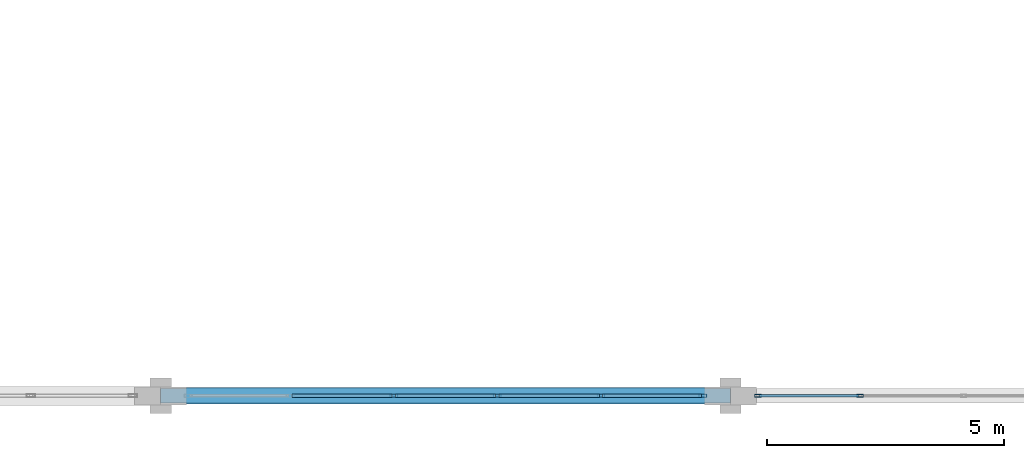
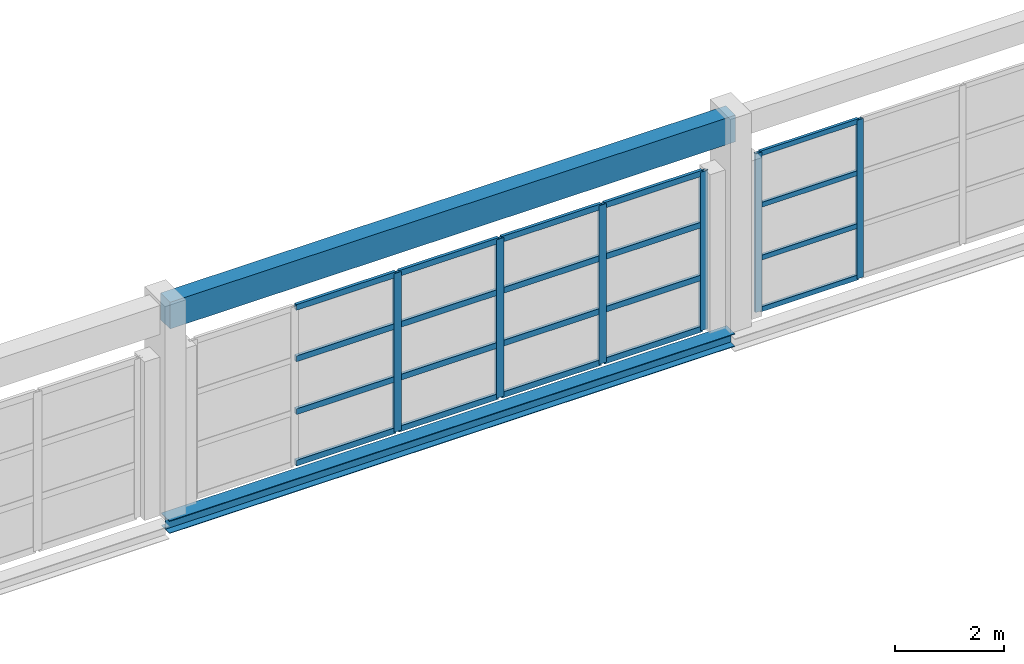
# One storey, part 72 of 147: 26 members, 2 beams, 2 elements without a shape of their own.
"""IFC4 building model written with IfcOpenShell, lengths in metres."""

from ifc_helpers import new_model, si_unit, direction, frame, origin, origin_2d, place, context, subcontext, project, spatial, rectangle, hollow_rectangle, i_section, extrude, material, layer, layer_set, material_profile, profile_set, type_object, element, aggregate, save


model = new_model("IFC4")

# Units and contexts
model_context = context("Model", 3, precision=1e-05, world=origin(), true_north=direction((0.0, 1.0)))
body_context = subcontext(model_context, "Body", "Model", "MODEL_VIEW")
ifc_project = project(units=[si_unit("LENGTHUNIT", "METRE"), si_unit("AREAUNIT", "SQUARE_METRE"), si_unit("VOLUMEUNIT", "CUBIC_METRE"), si_unit("PLANEANGLEUNIT", "RADIAN"), si_unit("MASSUNIT", "GRAM", prefix="KILO")], contexts=[model_context])

# Site, building, storey
site_placement = place(None, origin())
site = spatial("IfcSite", under=ifc_project, at=site_placement, CompositionType="ELEMENT")
building_placement = place(site_placement, origin())
building = spatial("IfcBuilding", under=site, at=building_placement, Name="Zilviju Railside Exhibition Hall", CompositionType="ELEMENT")
storey_placement = place(building_placement, frame((0.0, 0.0, 8.39990234375)))
storey = spatial("IfcBuildingStorey", under=building, at=storey_placement, Name="L03", CompositionType="ELEMENT", Elevation=8.39990234375)

# Beams
ifc_material_1 = material(Name="Steel S355J2", Category="steel")
ifc_material_profile_1 = material_profile(ifc_material_1, i_section(OverallWidth=0.300048828125, OverallDepth=0.2900390625, WebThickness=0.008544921875, FlangeThickness=0.013916015625, at=origin_2d()), Name="HEA 300")
ifc_profile_set_1 = profile_set([ifc_material_profile_1], Name="Steel S355J2")
beam_type_1 = type_object("IfcBeamType", Name="BM-HEA300", PredefinedType="SPANDREL", material=ifc_profile_set_1)
beam_1_placement = place(storey_placement, frame((144.0, 0.0, -0.364990234375), z_axis=(1.0, 0.0, 0.0), x_axis=(0.0, 1.0, 0.0)))
element("IfcBeam", 1, at=beam_1_placement, inside=storey, type_object=beam_type_1, Name="Primary Girder L03 Y=0.0 (144.0..156.0)", PredefinedType="SPANDREL", context=body_context, shape_type="SweptSolid", body=[
    extrude(i_section(OverallWidth=0.300048828125, OverallDepth=0.2900390625, WebThickness=0.008544921875, FlangeThickness=0.013916015625, at=origin_2d()), origin(), (0.0, 0.0, 1.0), 12.0),
])
ifc_material_2 = material(Name="Concrete C40/50", Category="concrete")
ifc_material_profile_2 = material_profile(ifc_material_2, rectangle(XDim=0.35009765625, YDim=0.60009765625, at=origin_2d()), Name="RC BEAM 350x600")
ifc_profile_set_2 = profile_set([ifc_material_profile_2], Name="Concrete C40/50")
beam_type_2 = type_object("IfcBeamType", Name="BM-RC-350x600", PredefinedType="LINTEL", material=ifc_profile_set_2)
beam_2_placement = place(storey_placement, frame((144.0, 0.0, 4.400146484375), z_axis=(1.0, 0.0, 0.0), x_axis=(0.0, 1.0, 0.0)))
element("IfcBeam", 2, at=beam_2_placement, inside=storey, type_object=beam_type_2, Name="Eave & Portal Spandrel Lintel 007", PredefinedType="LINTEL", context=body_context, shape_type="SweptSolid", body=[
    extrude(rectangle(XDim=0.35009765625, YDim=0.60009765625, at=origin_2d()), origin(), (0.0, 0.0, 1.0), 12.0),
])

# Curtain wall, members
ifc_material_3 = material(Name="Thermally broken aluminium-steel triple-glazed curtain wall", Category="steel")
ifc_layer_1 = layer(ifc_material_3, 0.179931640625)
ifc_layer_set_1 = layer_set([ifc_layer_1], Name="Thermally broken aluminium-steel triple-glazed curtain wall")
curtain_wall_type_1 = type_object("IfcCurtainWallType", Name="CW-BAY-19", PredefinedType="USERDEFINED", material=ifc_layer_set_1)
curtain_wall_1_placement = place(storey_placement, origin())
curtain_wall_1 = element("IfcCurtainWall", 3, at=curtain_wall_1_placement, inside=storey, type_object=curtain_wall_type_1, Name="South Hall Facade Curtain Wall L03 (156..168)", ObjectType="GLAZED CURTAIN WALL", PredefinedType="USERDEFINED")
ifc_material_4 = material(Name="Thermally broken anodized aluminium mullion", Category="aluminium")
ifc_material_profile_3 = material_profile(ifc_material_4, hollow_rectangle(XDim=0.06005859375, YDim=0.139892578125, WallThickness=0.0048828125, at=origin_2d()), Name="MULLION 140x60x5")
ifc_profile_set_3 = profile_set([ifc_material_profile_3], Name="Thermally broken anodized aluminium mullion")
member_type_1 = type_object("IfcMemberType", Name="CWM-60x140", PredefinedType="MULLION", material=ifc_profile_set_3)
member_1_placement = place(storey_placement, frame((158.72998046875, 0.0, 0.0), z_axis=(0.0, 0.0, 1.0), x_axis=(0.0, -1.0, 0.0)))
member_1 = element("IfcMember", 4, at=member_1_placement, type_object=member_type_1, Name="CW-19 mullion 5", PredefinedType="MULLION", context=body_context, shape_type="SweptSolid", body=[
    extrude(hollow_rectangle(XDim=0.06005859375, YDim=0.139892578125, WallThickness=0.0048828125, at=origin_2d()), origin(), (0.0, 0.0, 1.0), 3.56005859375),
])
member_2_placement = place(storey_placement, frame((156.580078125, 0.0, 0.0), z_axis=(0.0, 0.0, 1.0), x_axis=(0.0, -1.0, 0.0)))
member_2 = element("IfcMember", 5, at=member_2_placement, type_object=member_type_1, Name="CW-19 mullion 6", PredefinedType="MULLION", context=body_context, shape_type="SweptSolid", body=[
    extrude(hollow_rectangle(XDim=0.06005859375, YDim=0.139892578125, WallThickness=0.0048828125, at=origin_2d()), origin(), (0.0, 0.0, 1.0), 3.56005859375),
])

ifc_layer_2 = layer(ifc_material_3, 0.179931640625)
ifc_layer_set_2 = layer_set([ifc_layer_2], Name="Thermally broken aluminium-steel triple-glazed curtain wall")
curtain_wall_type_2 = type_object("IfcCurtainWallType", Name="CW-BAY-18", PredefinedType="USERDEFINED", material=ifc_layer_set_2)
curtain_wall_2_placement = place(storey_placement, origin())
curtain_wall_2 = element("IfcCurtainWall", 6, at=curtain_wall_2_placement, inside=storey, type_object=curtain_wall_type_2, Name="South Hall Facade Curtain Wall L03 (144..156)", ObjectType="GLAZED CURTAIN WALL", PredefinedType="USERDEFINED")
ifc_material_profile_4 = material_profile(ifc_material_4, hollow_rectangle(XDim=0.06494140625, YDim=0.159912109375, WallThickness=0.0048828125, at=origin_2d()), Name="MULLION 160x65x5")
ifc_profile_set_4 = profile_set([ifc_material_profile_4], Name="Thermally broken anodized aluminium mullion")
member_type_2 = type_object("IfcMemberType", Name="CWM-65x160", PredefinedType="MULLION", material=ifc_profile_set_4)
member_3_placement = place(storey_placement, frame((155.41748046875, 0.0, 0.0), z_axis=(0.0, 0.0, 1.0), x_axis=(0.0, -1.0, 0.0)))
member_3 = element("IfcMember", 7, at=member_3_placement, type_object=member_type_2, Name="CW-18 mullion 1", PredefinedType="MULLION", context=body_context, shape_type="SweptSolid", body=[
    extrude(hollow_rectangle(XDim=0.06494140625, YDim=0.159912109375, WallThickness=0.0048828125, at=origin_2d()), origin(), (0.0, 0.0, 1.0), 3.56005859375),
])
member_4_placement = place(storey_placement, frame((153.27001953125, 0.0, 0.0), z_axis=(0.0, 0.0, 1.0), x_axis=(0.0, -1.0, 0.0)))
member_4 = element("IfcMember", 8, at=member_4_placement, type_object=member_type_2, Name="CW-18 mullion 2", PredefinedType="MULLION", context=body_context, shape_type="SweptSolid", body=[
    extrude(hollow_rectangle(XDim=0.06494140625, YDim=0.159912109375, WallThickness=0.0048828125, at=origin_2d()), origin(), (0.0, 0.0, 1.0), 3.56005859375),
])
member_5_placement = place(storey_placement, frame((151.090087890625, 0.0, 0.0), z_axis=(0.0, 0.0, 1.0), x_axis=(0.0, -1.0, 0.0)))
member_5 = element("IfcMember", 9, at=member_5_placement, type_object=member_type_2, Name="CW-18 mullion 3", PredefinedType="MULLION", context=body_context, shape_type="SweptSolid", body=[
    extrude(hollow_rectangle(XDim=0.06494140625, YDim=0.159912109375, WallThickness=0.0048828125, at=origin_2d()), origin(), (0.0, 0.0, 1.0), 3.56005859375),
])
member_6_placement = place(storey_placement, frame((148.909912109375, 0.0, 0.0), z_axis=(0.0, 0.0, 1.0), x_axis=(0.0, -1.0, 0.0)))
member_6 = element("IfcMember", 10, at=member_6_placement, type_object=member_type_2, Name="CW-18 mullion 4", PredefinedType="MULLION", context=body_context, shape_type="SweptSolid", body=[
    extrude(hollow_rectangle(XDim=0.06494140625, YDim=0.159912109375, WallThickness=0.0048828125, at=origin_2d()), origin(), (0.0, 0.0, 1.0), 3.56005859375),
])

# Member
ifc_material_5 = material(Name="Thermally broken anodized aluminium transom", Category="aluminium")
ifc_material_profile_5 = material_profile(ifc_material_5, hollow_rectangle(XDim=0.06005859375, YDim=0.110107421875, WallThickness=0.0048828125, at=origin_2d()), Name="TRANSOM 110x60x5")
ifc_profile_set_5 = profile_set([ifc_material_profile_5], Name="Thermally broken anodized aluminium transom")
member_type_3 = type_object("IfcMemberType", Name="CWT-60x110", PredefinedType="USERDEFINED", material=ifc_profile_set_5)
member_7_placement = place(storey_placement, frame((158.699951171875, 0.0, 0.030029296875), z_axis=(-1.0, 0.0, 0.0), x_axis=(0.0, -1.0, 0.0)))
member_7 = element("IfcMember", 11, at=member_7_placement, type_object=member_type_3, Name="CW-19 transom 5.1", ObjectType="TRANSOM", PredefinedType="USERDEFINED", context=body_context, shape_type="SweptSolid", body=[
    extrude(hollow_rectangle(XDim=0.06005859375, YDim=0.110107421875, WallThickness=0.0048828125, at=origin_2d()), origin(), (0.0, 0.0, 1.0), 2.08984375),
])

member_8_placement = place(storey_placement, frame((158.699951171875, 0.0, 1.18701171875), z_axis=(-1.0, 0.0, 0.0), x_axis=(0.0, -1.0, 0.0)))
member_8 = element("IfcMember", 12, at=member_8_placement, type_object=member_type_3, Name="CW-19 transom 5.2", ObjectType="TRANSOM", PredefinedType="USERDEFINED", context=body_context, shape_type="SweptSolid", body=[
    extrude(hollow_rectangle(XDim=0.06005859375, YDim=0.110107421875, WallThickness=0.0048828125, at=origin_2d()), origin(), (0.0, 0.0, 1.0), 2.08984375),
])

member_9_placement = place(storey_placement, frame((158.699951171875, 0.0, 2.373046875), z_axis=(-1.0, 0.0, 0.0), x_axis=(0.0, -1.0, 0.0)))
member_9 = element("IfcMember", 13, at=member_9_placement, type_object=member_type_3, Name="CW-19 transom 5.3", ObjectType="TRANSOM", PredefinedType="USERDEFINED", context=body_context, shape_type="SweptSolid", body=[
    extrude(hollow_rectangle(XDim=0.06005859375, YDim=0.110107421875, WallThickness=0.0048828125, at=origin_2d()), origin(), (0.0, 0.0, 1.0), 2.08984375),
])

member_10_placement = place(storey_placement, frame((158.699951171875, 0.0, 3.530029296875), z_axis=(-1.0, 0.0, 0.0), x_axis=(0.0, -1.0, 0.0)))
member_10 = element("IfcMember", 14, at=member_10_placement, type_object=member_type_3, Name="CW-19 transom 5.4", ObjectType="TRANSOM", PredefinedType="USERDEFINED", context=body_context, shape_type="SweptSolid", body=[
    extrude(hollow_rectangle(XDim=0.06005859375, YDim=0.110107421875, WallThickness=0.0048828125, at=origin_2d()), origin(), (0.0, 0.0, 1.0), 2.08984375),
])

aggregate(curtain_wall_1, [member_1, member_2, member_7, member_8, member_9, member_10])

ifc_material_profile_6 = material_profile(ifc_material_5, hollow_rectangle(XDim=0.06494140625, YDim=0.1298828125, WallThickness=0.0048828125, at=origin_2d()), Name="TRANSOM 130x65x5")
ifc_profile_set_6 = profile_set([ifc_material_profile_6], Name="Thermally broken anodized aluminium transom")
member_type_4 = type_object("IfcMemberType", Name="CWT-65x130", PredefinedType="USERDEFINED", material=ifc_profile_set_6)
member_11_placement = place(storey_placement, frame((155.385009765625, 0.0, 0.03271484375), z_axis=(-1.0, 0.0, 0.0), x_axis=(0.0, -1.0, 0.0)))
member_11 = element("IfcMember", 15, at=member_11_placement, type_object=member_type_4, Name="CW-18 transom 1.1", ObjectType="TRANSOM", PredefinedType="USERDEFINED", context=body_context, shape_type="SweptSolid", body=[
    extrude(hollow_rectangle(XDim=0.06494140625, YDim=0.1298828125, WallThickness=0.0048828125, at=origin_2d()), origin(), (0.0, 0.0, 1.0), 2.08251953125),
])

member_12_placement = place(storey_placement, frame((155.385009765625, 0.0, 1.18701171875), z_axis=(-1.0, 0.0, 0.0), x_axis=(0.0, -1.0, 0.0)))
member_12 = element("IfcMember", 16, at=member_12_placement, type_object=member_type_4, Name="CW-18 transom 1.2", ObjectType="TRANSOM", PredefinedType="USERDEFINED", context=body_context, shape_type="SweptSolid", body=[
    extrude(hollow_rectangle(XDim=0.06494140625, YDim=0.1298828125, WallThickness=0.0048828125, at=origin_2d()), origin(), (0.0, 0.0, 1.0), 2.08251953125),
])

member_13_placement = place(storey_placement, frame((155.385009765625, 0.0, 2.373046875), z_axis=(-1.0, 0.0, 0.0), x_axis=(0.0, -1.0, 0.0)))
member_13 = element("IfcMember", 17, at=member_13_placement, type_object=member_type_4, Name="CW-18 transom 1.3", ObjectType="TRANSOM", PredefinedType="USERDEFINED", context=body_context, shape_type="SweptSolid", body=[
    extrude(hollow_rectangle(XDim=0.06494140625, YDim=0.1298828125, WallThickness=0.0048828125, at=origin_2d()), origin(), (0.0, 0.0, 1.0), 2.08251953125),
])

member_14_placement = place(storey_placement, frame((155.385009765625, 0.0, 3.527587890625), z_axis=(-1.0, 0.0, 0.0), x_axis=(0.0, -1.0, 0.0)))
member_14 = element("IfcMember", 18, at=member_14_placement, type_object=member_type_4, Name="CW-18 transom 1.4", ObjectType="TRANSOM", PredefinedType="USERDEFINED", context=body_context, shape_type="SweptSolid", body=[
    extrude(hollow_rectangle(XDim=0.06494140625, YDim=0.1298828125, WallThickness=0.0048828125, at=origin_2d()), origin(), (0.0, 0.0, 1.0), 2.08251953125),
])

member_15_placement = place(storey_placement, frame((153.237548828125, 0.0, 0.03271484375), z_axis=(-1.0, 0.0, 0.0), x_axis=(0.0, -1.0, 0.0)))
member_15 = element("IfcMember", 19, at=member_15_placement, type_object=member_type_4, Name="CW-18 transom 2.1", ObjectType="TRANSOM", PredefinedType="USERDEFINED", context=body_context, shape_type="SweptSolid", body=[
    extrude(hollow_rectangle(XDim=0.06494140625, YDim=0.1298828125, WallThickness=0.0048828125, at=origin_2d()), origin(), (0.0, 0.0, 1.0), 2.114990234375),
])

member_16_placement = place(storey_placement, frame((153.237548828125, 0.0, 1.18701171875), z_axis=(-1.0, 0.0, 0.0), x_axis=(0.0, -1.0, 0.0)))
member_16 = element("IfcMember", 20, at=member_16_placement, type_object=member_type_4, Name="CW-18 transom 2.2", ObjectType="TRANSOM", PredefinedType="USERDEFINED", context=body_context, shape_type="SweptSolid", body=[
    extrude(hollow_rectangle(XDim=0.06494140625, YDim=0.1298828125, WallThickness=0.0048828125, at=origin_2d()), origin(), (0.0, 0.0, 1.0), 2.114990234375),
])

member_17_placement = place(storey_placement, frame((153.237548828125, 0.0, 2.373046875), z_axis=(-1.0, 0.0, 0.0), x_axis=(0.0, -1.0, 0.0)))
member_17 = element("IfcMember", 21, at=member_17_placement, type_object=member_type_4, Name="CW-18 transom 2.3", ObjectType="TRANSOM", PredefinedType="USERDEFINED", context=body_context, shape_type="SweptSolid", body=[
    extrude(hollow_rectangle(XDim=0.06494140625, YDim=0.1298828125, WallThickness=0.0048828125, at=origin_2d()), origin(), (0.0, 0.0, 1.0), 2.114990234375),
])

member_18_placement = place(storey_placement, frame((153.237548828125, 0.0, 3.527587890625), z_axis=(-1.0, 0.0, 0.0), x_axis=(0.0, -1.0, 0.0)))
member_18 = element("IfcMember", 22, at=member_18_placement, type_object=member_type_4, Name="CW-18 transom 2.4", ObjectType="TRANSOM", PredefinedType="USERDEFINED", context=body_context, shape_type="SweptSolid", body=[
    extrude(hollow_rectangle(XDim=0.06494140625, YDim=0.1298828125, WallThickness=0.0048828125, at=origin_2d()), origin(), (0.0, 0.0, 1.0), 2.114990234375),
])

member_19_placement = place(storey_placement, frame((151.0576171875, 0.0, 0.03271484375), z_axis=(-1.0, 0.0, 0.0), x_axis=(0.0, -1.0, 0.0)))
member_19 = element("IfcMember", 23, at=member_19_placement, type_object=member_type_4, Name="CW-18 transom 3.1", ObjectType="TRANSOM", PredefinedType="USERDEFINED", context=body_context, shape_type="SweptSolid", body=[
    extrude(hollow_rectangle(XDim=0.06494140625, YDim=0.1298828125, WallThickness=0.0048828125, at=origin_2d()), origin(), (0.0, 0.0, 1.0), 2.115234375),
])

member_20_placement = place(storey_placement, frame((151.0576171875, 0.0, 1.18701171875), z_axis=(-1.0, 0.0, 0.0), x_axis=(0.0, -1.0, 0.0)))
member_20 = element("IfcMember", 24, at=member_20_placement, type_object=member_type_4, Name="CW-18 transom 3.2", ObjectType="TRANSOM", PredefinedType="USERDEFINED", context=body_context, shape_type="SweptSolid", body=[
    extrude(hollow_rectangle(XDim=0.06494140625, YDim=0.1298828125, WallThickness=0.0048828125, at=origin_2d()), origin(), (0.0, 0.0, 1.0), 2.115234375),
])

member_21_placement = place(storey_placement, frame((151.0576171875, 0.0, 2.373046875), z_axis=(-1.0, 0.0, 0.0), x_axis=(0.0, -1.0, 0.0)))
member_21 = element("IfcMember", 25, at=member_21_placement, type_object=member_type_4, Name="CW-18 transom 3.3", ObjectType="TRANSOM", PredefinedType="USERDEFINED", context=body_context, shape_type="SweptSolid", body=[
    extrude(hollow_rectangle(XDim=0.06494140625, YDim=0.1298828125, WallThickness=0.0048828125, at=origin_2d()), origin(), (0.0, 0.0, 1.0), 2.115234375),
])

member_22_placement = place(storey_placement, frame((151.0576171875, 0.0, 3.527587890625), z_axis=(-1.0, 0.0, 0.0), x_axis=(0.0, -1.0, 0.0)))
member_22 = element("IfcMember", 26, at=member_22_placement, type_object=member_type_4, Name="CW-18 transom 3.4", ObjectType="TRANSOM", PredefinedType="USERDEFINED", context=body_context, shape_type="SweptSolid", body=[
    extrude(hollow_rectangle(XDim=0.06494140625, YDim=0.1298828125, WallThickness=0.0048828125, at=origin_2d()), origin(), (0.0, 0.0, 1.0), 2.115234375),
])

member_23_placement = place(storey_placement, frame((148.87744140625, 0.0, 0.03271484375), z_axis=(-1.0, 0.0, 0.0), x_axis=(0.0, -1.0, 0.0)))
member_23 = element("IfcMember", 27, at=member_23_placement, type_object=member_type_4, Name="CW-18 transom 4.1", ObjectType="TRANSOM", PredefinedType="USERDEFINED", context=body_context, shape_type="SweptSolid", body=[
    extrude(hollow_rectangle(XDim=0.06494140625, YDim=0.1298828125, WallThickness=0.0048828125, at=origin_2d()), origin(), (0.0, 0.0, 1.0), 2.114990234375),
])

member_24_placement = place(storey_placement, frame((148.87744140625, 0.0, 1.18701171875), z_axis=(-1.0, 0.0, 0.0), x_axis=(0.0, -1.0, 0.0)))
member_24 = element("IfcMember", 28, at=member_24_placement, type_object=member_type_4, Name="CW-18 transom 4.2", ObjectType="TRANSOM", PredefinedType="USERDEFINED", context=body_context, shape_type="SweptSolid", body=[
    extrude(hollow_rectangle(XDim=0.06494140625, YDim=0.1298828125, WallThickness=0.0048828125, at=origin_2d()), origin(), (0.0, 0.0, 1.0), 2.114990234375),
])

member_25_placement = place(storey_placement, frame((148.87744140625, 0.0, 2.373046875), z_axis=(-1.0, 0.0, 0.0), x_axis=(0.0, -1.0, 0.0)))
member_25 = element("IfcMember", 29, at=member_25_placement, type_object=member_type_4, Name="CW-18 transom 4.3", ObjectType="TRANSOM", PredefinedType="USERDEFINED", context=body_context, shape_type="SweptSolid", body=[
    extrude(hollow_rectangle(XDim=0.06494140625, YDim=0.1298828125, WallThickness=0.0048828125, at=origin_2d()), origin(), (0.0, 0.0, 1.0), 2.114990234375),
])

member_26_placement = place(storey_placement, frame((148.87744140625, 0.0, 3.527587890625), z_axis=(-1.0, 0.0, 0.0), x_axis=(0.0, -1.0, 0.0)))
member_26 = element("IfcMember", 30, at=member_26_placement, type_object=member_type_4, Name="CW-18 transom 4.4", ObjectType="TRANSOM", PredefinedType="USERDEFINED", context=body_context, shape_type="SweptSolid", body=[
    extrude(hollow_rectangle(XDim=0.06494140625, YDim=0.1298828125, WallThickness=0.0048828125, at=origin_2d()), origin(), (0.0, 0.0, 1.0), 2.114990234375),
])

aggregate(curtain_wall_2, [member_3, member_4, member_5, member_6, member_11, member_12, member_13, member_14, member_15, member_16, member_17, member_18, member_19, member_20, member_21, member_22, member_23, member_24, member_25, member_26])

save(model, "model.ifc")
